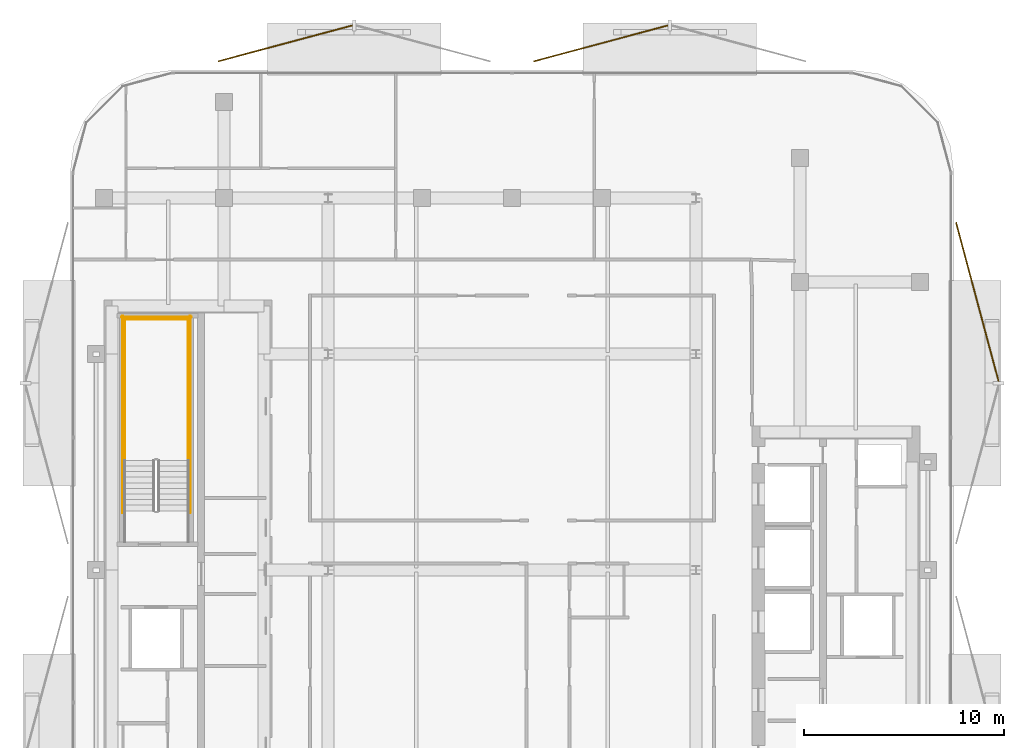
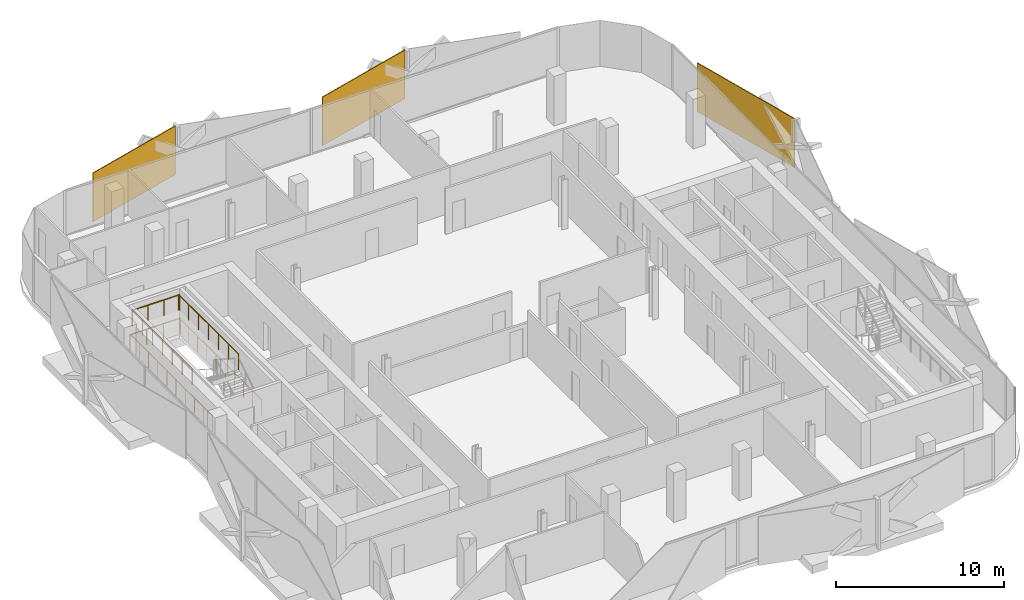
# One storey, part 14 of 14: 6 railings, 3 coverings.
"""IFC4 building model written with IfcOpenShell, lengths in metres."""

from ifc_helpers import new_model, si_unit, direction, frame, origin, origin_2d, place, context, subcontext, project, spatial, rectangle, circle, extrude, material, layer, layer_set, type_object, element, save


model = new_model("IFC4")

# Units and contexts
model_context = context("Model", 3, precision=1e-05, world=origin(), true_north=direction((0.0, 1.0)))
body_context = subcontext(model_context, "Body", "Model", "MODEL_VIEW")
ifc_project = project(units=[si_unit("LENGTHUNIT", "METRE"), si_unit("AREAUNIT", "SQUARE_METRE"), si_unit("VOLUMEUNIT", "CUBIC_METRE"), si_unit("PLANEANGLEUNIT", "RADIAN"), si_unit("MASSUNIT", "GRAM", prefix="KILO")], contexts=[model_context])

# Site, building, storey
site_placement = place(None, origin())
site = spatial("IfcSite", under=ifc_project, at=site_placement, CompositionType="ELEMENT")
building_placement = place(site_placement, origin())
building = spatial("IfcBuilding", under=site, at=building_placement, Name="Khairoan Windgate Tower", CompositionType="ELEMENT")
storey_placement = place(building_placement, frame((0.0, 0.0, 236.800048828125)))
storey = spatial("IfcBuildingStorey", under=building, at=storey_placement, Name="L55", CompositionType="ELEMENT", Elevation=236.800048828125)

# Coverings
ifc_material_1 = material(Name="Anodised Bronze Aluminium 6063-T6", Category="aluminium")
ifc_layer = layer(ifc_material_1, 0.054931640625, Name="Anodised Bronze Aluminium 6063-T6")
ifc_layer_set = layer_set([ifc_layer], Name="Anodised Bronze Aluminium 6063-T6")
covering_type = type_object("IfcCoveringType", Name="Perforated Bronze-Ceramic Folded Solar Screen Cladding BSC-1", PredefinedType="CLADDING", material=ifc_layer_set)
for number, where, z_axis, x_axis, name in (
    (1, (-11.341064453125, 26.3408203125, -0.10009765625), (0.0, 0.0, 1.0), (0.965925826289, 0.258819045103, 0.0), "L55 Folded Bronze Solar Screen Facet 373L"),
    (2, (4.44970703125, 26.3408203125, -0.10009765625), (0.0, 0.0, 1.0), (0.965925826289, 0.258819045103, 0.0), "L55 Folded Bronze Solar Screen Facet 374L"),
):
    element("IfcCovering", number, at=place(storey_placement, frame(where, z_axis=z_axis, x_axis=x_axis)), inside=storey, type_object=covering_type, Name=name, PredefinedType="CLADDING", context=body_context, shape_type="SweptSolid", body=[
        extrude(rectangle(XDim=6.947998046875, YDim=0.054931640625, at=origin_2d()), origin(), (0.0, 0.0, 1.0), 3.5400390625),
    ])
covering_placement = place(storey_placement, frame((23.275634765625, 13.4072265625, -0.10009765625), z_axis=(0.0, 0.0, 1.0), x_axis=(0.258819045103, -0.965925826289, 0.0)))
element("IfcCovering", 3, at=covering_placement, inside=storey, type_object=covering_type, Name="L55 Folded Bronze Solar Screen Facet 375L", PredefinedType="CLADDING", context=body_context, shape_type="SweptSolid", body=[
    extrude(rectangle(XDim=8.22412109375, YDim=0.054931640625, at=origin_2d()), origin(), (0.0, 0.0, 1.0), 3.5400390625),
])

# Railings
ifc_material_2 = material(Name="Steel S355", Category="steel")
railing_type = type_object("IfcRailingType", Name="Stairwell Safety Guardrail SGR-1150", PredefinedType="GUARDRAIL", material=ifc_material_2)
for number, where, name in (
    (4, (-16.199951171875, 5.47998046875, 1.800048828125), "L55 ST2 stair guard 3"),
    (5, (-19.3701171875, 5.47998046875, 1.800048828125), "L55 ST2 stair guard 4"),
):
    element("IfcRailing", number, at=place(storey_placement, frame(where)), inside=storey, type_object=railing_type, Name=name, PredefinedType="GUARDRAIL", context=body_context, shape_type="SweptSolid", body=[
        extrude(circle(Radius=0.02392578125, at=origin_2d()), frame((0.0, 0.0, 1.1259765625), z_axis=(0.0, 1.0, 0.0), x_axis=(-1.0, 0.0, 0.0)), (0.0, 0.0, 1.0), 7.1201171875),
        extrude(circle(Radius=0.02099609375, at=origin_2d()), origin(), (0.0, 0.0, 1.0), 1.101806640625),
        extrude(circle(Radius=0.02099609375, at=origin_2d()), frame((0.0, 1.186767578125, 0.0)), (0.0, 0.0, 1.0), 1.101806640625),
        extrude(circle(Radius=0.02099609375, at=origin_2d()), frame((0.0, 2.373291015625, 0.0)), (0.0, 0.0, 1.0), 1.101806640625),
        extrude(circle(Radius=0.02099609375, at=origin_2d()), frame((0.0, 3.56005859375, 0.0)), (0.0, 0.0, 1.0), 1.101806640625),
        extrude(circle(Radius=0.02099609375, at=origin_2d()), frame((0.0, 4.746826171875, 0.0)), (0.0, 0.0, 1.0), 1.101806640625),
        extrude(circle(Radius=0.02099609375, at=origin_2d()), frame((0.0, 5.933349609375, 0.0)), (0.0, 0.0, 1.0), 1.101806640625),
        extrude(circle(Radius=0.02099609375, at=origin_2d()), frame((0.0, 7.1201171875, 0.0)), (0.0, 0.0, 1.0), 1.101806640625),
    ])
railing_1_placement = place(storey_placement, frame((-16.14990234375, 12.550048828125, 1.800048828125)))
element("IfcRailing", 6, at=railing_1_placement, inside=storey, type_object=railing_type, Name="L55 ST2 stair guard 5", PredefinedType="GUARDRAIL", context=body_context, shape_type="SweptSolid", body=[
    extrude(circle(Radius=0.02392578125, at=origin_2d()), frame((0.0, 0.0, 1.1259765625), z_axis=(-1.0, 0.0, 0.0), x_axis=(0.0, -1.0, 0.0)), (0.0, 0.0, 1.0), 3.27001953125),
    extrude(circle(Radius=0.02099609375, at=origin_2d()), origin(), (0.0, 0.0, 1.0), 1.101806640625),
    extrude(circle(Radius=0.02099609375, at=origin_2d()), frame((-1.090087890625, 0.0, 0.0)), (0.0, 0.0, 1.0), 1.101806640625),
    extrude(circle(Radius=0.02099609375, at=origin_2d()), frame((-2.179931640625, 0.0, 0.0)), (0.0, 0.0, 1.0), 1.101806640625),
    extrude(circle(Radius=0.02099609375, at=origin_2d()), frame((-3.27001953125, 0.0, 0.0)), (0.0, 0.0, 1.0), 1.101806640625),
])
for number, where, name in (
    (7, (-16.10009765625, 2.860107421875, 0.0), "L55 ST2 stair guard 10"),
    (8, (-19.469970703125, 2.860107421875, 0.0), "L55 ST2 stair guard 11"),
):
    element("IfcRailing", number, at=place(storey_placement, frame(where)), inside=storey, type_object=railing_type, Name=name, PredefinedType="GUARDRAIL", context=body_context, shape_type="SweptSolid", body=[
        extrude(circle(Radius=0.02392578125, at=origin_2d()), frame((0.0, 0.0, 1.1259765625), z_axis=(0.0, 1.0, 0.0), x_axis=(-1.0, 0.0, 0.0)), (0.0, 0.0, 1.0), 9.83984375),
        extrude(circle(Radius=0.02099609375, at=origin_2d()), origin(), (0.0, 0.0, 1.0), 1.101806640625),
        extrude(circle(Radius=0.02099609375, at=origin_2d()), frame((0.0, 1.09326171875, 0.0)), (0.0, 0.0, 1.0), 1.101806640625),
        extrude(circle(Radius=0.02099609375, at=origin_2d()), frame((0.0, 2.1865234375, 0.0)), (0.0, 0.0, 1.0), 1.101806640625),
        extrude(circle(Radius=0.02099609375, at=origin_2d()), frame((0.0, 3.280029296875, 0.0)), (0.0, 0.0, 1.0), 1.101806640625),
        extrude(circle(Radius=0.02099609375, at=origin_2d()), frame((0.0, 4.373291015625, 0.0)), (0.0, 0.0, 1.0), 1.101806640625),
        extrude(circle(Radius=0.02099609375, at=origin_2d()), frame((0.0, 5.466552734375, 0.0)), (0.0, 0.0, 1.0), 1.101806640625),
        extrude(circle(Radius=0.02099609375, at=origin_2d()), frame((0.0, 6.559814453125, 0.0)), (0.0, 0.0, 1.0), 1.101806640625),
        extrude(circle(Radius=0.02099609375, at=origin_2d()), frame((0.0, 7.6533203125, 0.0)), (0.0, 0.0, 1.0), 1.101806640625),
        extrude(circle(Radius=0.02099609375, at=origin_2d()), frame((0.0, 8.74658203125, 0.0)), (0.0, 0.0, 1.0), 1.101806640625),
        extrude(circle(Radius=0.02099609375, at=origin_2d()), frame((0.0, 9.83984375, 0.0)), (0.0, 0.0, 1.0), 1.101806640625),
    ])
railing_2_placement = place(storey_placement, frame((-16.050048828125, 12.64990234375, 0.0)))
element("IfcRailing", 9, at=railing_2_placement, inside=storey, type_object=railing_type, Name="L55 ST2 stair guard 12", PredefinedType="GUARDRAIL", context=body_context, shape_type="SweptSolid", body=[
    extrude(circle(Radius=0.02392578125, at=origin_2d()), frame((0.0, 0.0, 1.1259765625), z_axis=(-1.0, 0.0, 0.0), x_axis=(0.0, -1.0, 0.0)), (0.0, 0.0, 1.0), 3.469970703125),
    extrude(circle(Radius=0.02099609375, at=origin_2d()), origin(), (0.0, 0.0, 1.0), 1.101806640625),
    extrude(circle(Radius=0.02099609375, at=origin_2d()), frame((-1.15673828125, 0.0, 0.0)), (0.0, 0.0, 1.0), 1.101806640625),
    extrude(circle(Radius=0.02099609375, at=origin_2d()), frame((-2.313232421875, 0.0, 0.0)), (0.0, 0.0, 1.0), 1.101806640625),
    extrude(circle(Radius=0.02099609375, at=origin_2d()), frame((-3.469970703125, 0.0, 0.0)), (0.0, 0.0, 1.0), 1.101806640625),
])

save(model, "model.ifc")
